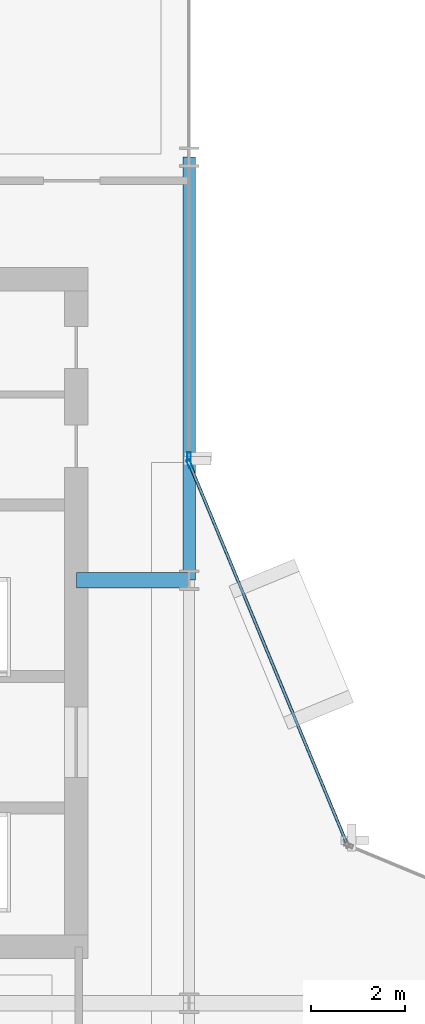
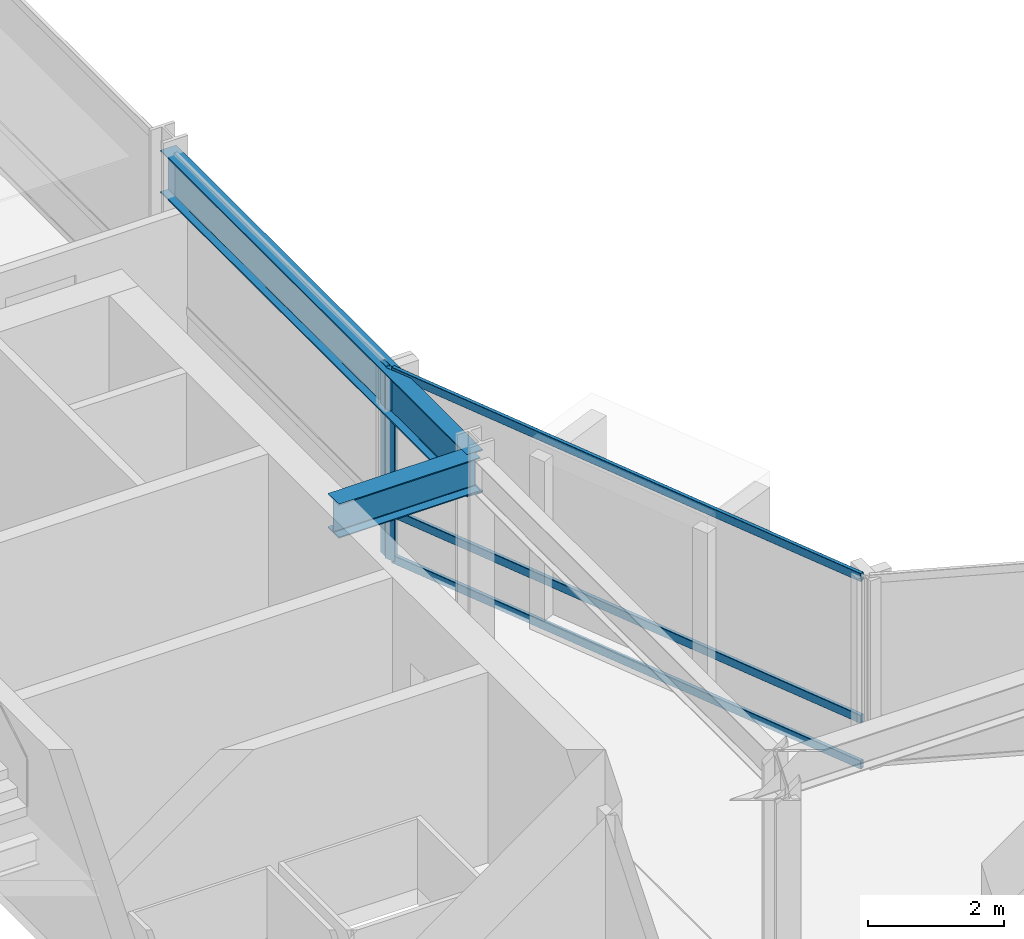
# One storey, part 17 of 28: 5 members, 2 beams, 2 elements without a shape of their own.
"""IFC4 building model written with IfcOpenShell, lengths in metres."""

from ifc_helpers import new_model, si_unit, direction, frame, origin, origin_2d, place, context, subcontext, project, spatial, hollow_rectangle, i_section, extrude, material, layer, layer_set, material_profile, profile_set, type_object, element, aggregate, save


model = new_model("IFC4")

# Units and contexts
model_context = context("Model", 3, precision=1e-05, world=origin(), true_north=direction((0.0, 1.0)))
body_context = subcontext(model_context, "Body", "Model", "MODEL_VIEW")
ifc_project = project(units=[si_unit("LENGTHUNIT", "METRE"), si_unit("AREAUNIT", "SQUARE_METRE"), si_unit("VOLUMEUNIT", "CUBIC_METRE"), si_unit("PLANEANGLEUNIT", "RADIAN"), si_unit("MASSUNIT", "GRAM", prefix="KILO")], contexts=[model_context])

# Site, building, storey
site_placement = place(None, origin())
site = spatial("IfcSite", under=ifc_project, at=site_placement, CompositionType="ELEMENT")
building_placement = place(site_placement, origin())
building = spatial("IfcBuilding", under=site, at=building_placement, Name="Solvaryn Broadcast Tower", CompositionType="ELEMENT")
storey_placement = place(building_placement, frame((0.0, 0.0, 154.39990234375)))
storey = spatial("IfcBuildingStorey", under=building, at=storey_placement, Name="L38", CompositionType="ELEMENT", Elevation=154.39990234375)

# Beams
ifc_material_1 = material(Name="Steel ASTM A992 Grade 50", Category="steel")
ifc_material_profile_1 = material_profile(ifc_material_1, i_section(OverallWidth=0.323974609375, OverallDepth=0.611083984375, WebThickness=0.0126953125, FlangeThickness=0.01904296875, FilletRadius=0.014892578125, at=origin_2d()))
ifc_profile_set_1 = profile_set([ifc_material_profile_1], Name="Steel ASTM A992 Grade 50")
beam_type_1 = type_object("IfcBeamType", Name="BM-B1-W24X104", PredefinedType="BEAM", material=ifc_profile_set_1)
beam_1_placement = place(storey_placement, frame((24.60009765625, 36.0, 3.114501953125), z_axis=(1.0, 0.0, 0.0), x_axis=(0.0, 1.0, 0.0)))
element("IfcBeam", 1, at=beam_1_placement, inside=storey, type_object=beam_type_1, Name="L38 Core Tie Beam CTW2", PredefinedType="BEAM", context=body_context, shape_type="SweptSolid", body=[
    extrude(i_section(OverallWidth=0.323974609375, OverallDepth=0.611083984375, WebThickness=0.0126953125, FlangeThickness=0.01904296875, FilletRadius=0.014892578125, at=origin_2d()), origin(), (0.0, 0.0, 1.0), 2.39990234375),
])
ifc_material_2 = material(Name="Steel ASTM A992 Grade 50", Category="steel")
ifc_material_profile_2 = material_profile(ifc_material_2, i_section(OverallWidth=0.26708984375, OverallDepth=0.76611328125, WebThickness=0.014892578125, FlangeThickness=0.023681640625, FilletRadius=0.01806640625, at=origin_2d()))
ifc_profile_set_2 = profile_set([ifc_material_profile_2], Name="Steel ASTM A992 Grade 50")
beam_type_2 = type_object("IfcBeamType", Name="BM-SP2-W30X124", PredefinedType="USERDEFINED", material=ifc_profile_set_2)
beam_2_placement = place(storey_placement, frame((27.0, 36.0, 3.037109375), z_axis=(0.0, 1.0, 0.0), x_axis=(-1.0, 0.0, 0.0)))
element("IfcBeam", 2, at=beam_2_placement, inside=storey, type_object=beam_type_2, Name="L38 Spandrel Beam Y (36-45 @ X=27)", ObjectType="SPANDREL", PredefinedType="USERDEFINED", context=body_context, shape_type="SweptSolid", body=[
    extrude(i_section(OverallWidth=0.26708984375, OverallDepth=0.76611328125, WebThickness=0.014892578125, FlangeThickness=0.023681640625, FilletRadius=0.01806640625, at=origin_2d()), origin(), (0.0, 0.0, 1.0), 9.0),
])

# Curtain wall, member
ifc_material_3 = material(Name="Aluminium and Terracotta Unitised Curtain Wall", Category="masonry")
ifc_layer = layer(ifc_material_3, 0.199951171875)
ifc_layer_set = layer_set([ifc_layer], Name="CW-SYS2-LOWMID")
curtain_wall_type = type_object("IfcCurtainWallType", Name="CW-SYS2-LOWMID", PredefinedType="NOTDEFINED", material=ifc_layer_set)
curtain_wall_1_placement = place(storey_placement, origin())
curtain_wall_1 = element("IfcCurtainWall", 3, at=curtain_wall_1_placement, inside=storey, type_object=curtain_wall_type, Name="L38 Curtain Wall IV", PredefinedType="NOTDEFINED")
ifc_material_4 = material(Name="Anodised Aluminium 6063-T6", Category="aluminium")
ifc_material_profile_3 = material_profile(ifc_material_4, hollow_rectangle(XDim=0.074951171875, YDim=0.179931640625, WallThickness=0.00390625, InnerFilletRadius=0.00390625, OuterFilletRadius=0.008056640625, at=origin_2d()))
ifc_profile_set_3 = profile_set([ifc_material_profile_3], Name="Anodised Aluminium 6063-T6")
member_type_1 = type_object("IfcMemberType", Name="CW-MUL-180", PredefinedType="MULLION", material=ifc_profile_set_3)
member_1_placement = place(storey_placement, frame((27.0, 38.6298828125, 0.0), z_axis=(0.0, 0.0, 1.0), x_axis=(1.0, 0.0, 0.0)))
member_1 = element("IfcMember", 4, at=member_1_placement, type_object=member_type_1, Name="CWS2 mullion 2", PredefinedType="MULLION", context=body_context, shape_type="SweptSolid", body=[
    extrude(hollow_rectangle(XDim=0.074951171875, YDim=0.179931640625, WallThickness=0.00390625, InnerFilletRadius=0.00390625, OuterFilletRadius=0.008056640625, at=origin_2d()), origin(), (0.0, 0.0, 1.0), 3.420166015625),
])
aggregate(curtain_wall_1, [member_1])

# Curtain wall, members
curtain_wall_2_placement = place(storey_placement, origin())
curtain_wall_2 = element("IfcCurtainWall", 5, at=curtain_wall_2_placement, inside=storey, type_object=curtain_wall_type, Name="L38 Curtain Wall CN2", PredefinedType="NOTDEFINED")
member_2_placement = place(storey_placement, frame((27.011474609375, 38.47216796875, 0.0), z_axis=(0.0, 0.0, 1.0), x_axis=(-0.923894983957, -0.382646127145, 0.0)))
member_2 = element("IfcMember", 6, at=member_2_placement, type_object=member_type_1, Name="CWS2 mullion 2", PredefinedType="MULLION", context=body_context, shape_type="SweptSolid", body=[
    extrude(hollow_rectangle(XDim=0.074951171875, YDim=0.179931640625, WallThickness=0.00390625, InnerFilletRadius=0.00390625, OuterFilletRadius=0.008056640625, at=origin_2d()), origin(), (0.0, 0.0, 1.0), 3.420166015625),
])
ifc_material_5 = material(Name="Anodised Aluminium 6063-T6", Category="aluminium")
ifc_material_profile_4 = material_profile(ifc_material_5, hollow_rectangle(XDim=0.06494140625, YDim=0.14990234375, WallThickness=0.00390625, InnerFilletRadius=0.00390625, OuterFilletRadius=0.008056640625, at=origin_2d()))
ifc_profile_set_4 = profile_set([ifc_material_profile_4], Name="Anodised Aluminium 6063-T6")
member_type_2 = type_object("IfcMemberType", Name="CW-TRN-150", PredefinedType="USERDEFINED", material=ifc_profile_set_4)
member_3_placement = place(storey_placement, frame((30.344970703125, 30.42333984375, 0.030029296875), z_axis=(-0.382635748975, 0.923899282177, 0.0), x_axis=(-0.923899282177, -0.382635748975, 0.0)))
member_3 = element("IfcMember", 7, at=member_3_placement, type_object=member_type_2, Name="CWS2 transom 1.1", ObjectType="TRANSOM", PredefinedType="USERDEFINED", context=body_context, shape_type="SweptSolid", body=[
    extrude(hollow_rectangle(XDim=0.06494140625, YDim=0.14990234375, WallThickness=0.00390625, InnerFilletRadius=0.00390625, OuterFilletRadius=0.008056640625, at=origin_2d()), origin(), (0.0, 0.0, 1.0), 8.681884765625),
])
member_4_placement = place(storey_placement, frame((30.344970703125, 30.42333984375, 0.85009765625), z_axis=(-0.382635748975, 0.923899282177, 0.0), x_axis=(-0.923899282177, -0.382635748975, 0.0)))
member_4 = element("IfcMember", 8, at=member_4_placement, type_object=member_type_2, Name="CWS2 transom 1.2", ObjectType="TRANSOM", PredefinedType="USERDEFINED", context=body_context, shape_type="SweptSolid", body=[
    extrude(hollow_rectangle(XDim=0.06494140625, YDim=0.14990234375, WallThickness=0.00390625, InnerFilletRadius=0.00390625, OuterFilletRadius=0.008056640625, at=origin_2d()), origin(), (0.0, 0.0, 1.0), 8.681884765625),
])
member_5_placement = place(storey_placement, frame((30.344970703125, 30.42333984375, 3.39013671875), z_axis=(-0.382635748975, 0.923899282177, 0.0), x_axis=(-0.923899282177, -0.382635748975, 0.0)))
member_5 = element("IfcMember", 9, at=member_5_placement, type_object=member_type_2, Name="CWS2 transom 1.3", ObjectType="TRANSOM", PredefinedType="USERDEFINED", context=body_context, shape_type="SweptSolid", body=[
    extrude(hollow_rectangle(XDim=0.06494140625, YDim=0.14990234375, WallThickness=0.00390625, InnerFilletRadius=0.00390625, OuterFilletRadius=0.008056640625, at=origin_2d()), origin(), (0.0, 0.0, 1.0), 8.681884765625),
])
aggregate(curtain_wall_2, [member_2, member_3, member_4, member_5])

save(model, "model.ifc")
